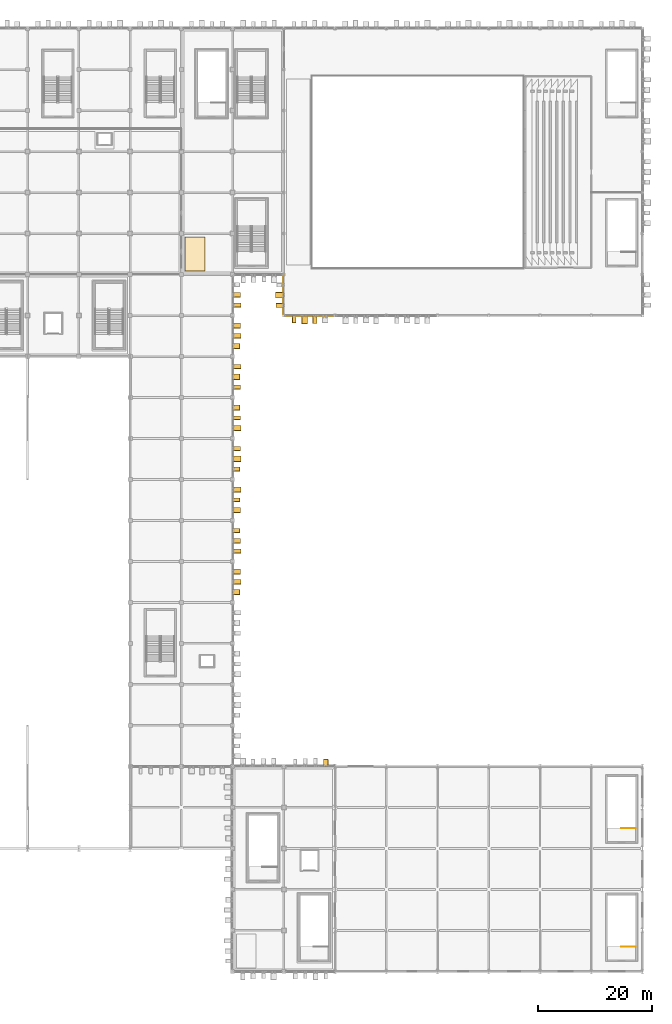
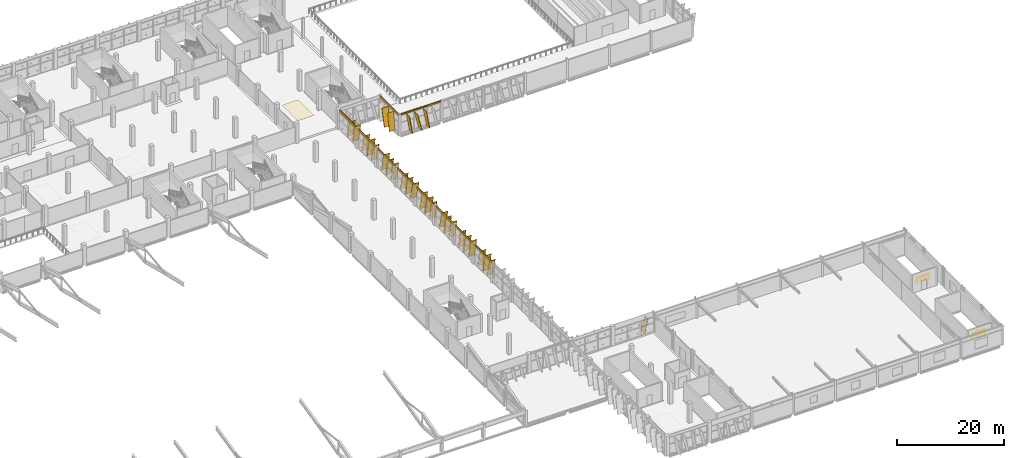
# One storey, part 136 of 151: 40 coverings, 29 shading devices, 2 railings.
"""IFC4 building model written with IfcOpenShell, lengths in metres."""

from ifc_helpers import new_model, si_unit, direction, frame, origin, origin_2d, place, context, subcontext, project, spatial, polyline, rectangle, circle, outline, extrude, material, layer, layer_set, material_profile, profile_set, type_object, element, save


model = new_model("IFC4")

# Units and contexts
model_context = context("Model", 3, precision=1e-05, world=origin(), true_north=direction((0.0, 1.0)))
body_context = subcontext(model_context, "Body", "Model", "MODEL_VIEW")
ifc_project = project(units=[si_unit("LENGTHUNIT", "METRE"), si_unit("AREAUNIT", "SQUARE_METRE"), si_unit("VOLUMEUNIT", "CUBIC_METRE"), si_unit("PLANEANGLEUNIT", "RADIAN"), si_unit("MASSUNIT", "GRAM", prefix="KILO")], contexts=[model_context])

# Site, building, storey
site_placement = place(None, origin())
site = spatial("IfcSite", under=ifc_project, at=site_placement, CompositionType="ELEMENT")
building_placement = place(site_placement, origin())
building = spatial("IfcBuilding", under=site, at=building_placement, Name="Celestram Park Convention Centre", CompositionType="ELEMENT")
storey_placement = place(building_placement, frame((0.0, 0.0, 10.800048828125)))
storey = spatial("IfcBuildingStorey", under=building, at=storey_placement, Name="L02", CompositionType="ELEMENT", Elevation=10.800048828125)

# Coverings
ifc_material_1 = material(Name="Anodised Bronze Aluminium Spandrel Cladding", Category="aluminium")
ifc_layer_1 = layer(ifc_material_1, 0.050048828125)
ifc_layer_set_1 = layer_set([ifc_layer_1], Name="Anodised Bronze Aluminium Spandrel Cladding")
covering_type_1 = type_object("IfcCoveringType", Name="ARC-COV-CLD060", PredefinedType="CLADDING", material=ifc_layer_set_1)
covering_1_placement = place(storey_placement, frame((157.5, 115.1201171875, 4.1640625), z_axis=(0.0, 0.0, 1.0), x_axis=(-1.0, 0.0, 0.0)))
element("IfcCovering", 1, at=covering_1_placement, inside=storey, type_object=covering_type_1, Name="Bronze spandrel cladding CL-L02-178", PredefinedType="CLADDING", context=body_context, shape_type="SweptSolid", body=[
    extrude(rectangle(XDim=8.60400390625, YDim=0.1201171875, at=origin_2d()), origin(), (0.0, 0.0, 1.0), 0.3359375),
])
covering_2_placement = place(storey_placement, frame((152.919921875, 118.800048828125, 3.9140625), z_axis=(0.0, 0.0, 1.0), x_axis=(0.0, 1.0, 0.0)))
element("IfcCovering", 2, at=covering_2_placement, inside=storey, type_object=covering_type_1, Name="Bronze spandrel cladding CL-L02-179", PredefinedType="CLADDING", context=body_context, shape_type="SweptSolid", body=[
    extrude(rectangle(XDim=6.803955078125, YDim=0.1201171875, at=origin_2d()), origin(), (0.0, 0.0, 1.0), 0.5859375),
])
covering_3_placement = place(storey_placement, frame((144.080078125, 118.800048828125, 3.9140625), z_axis=(0.0, 0.0, 1.0), x_axis=(0.0, -1.0, 0.0)))
element("IfcCovering", 3, at=covering_3_placement, inside=storey, type_object=covering_type_1, Name="Bronze spandrel cladding CL-L02-181", PredefinedType="CLADDING", context=body_context, shape_type="SweptSolid", body=[
    extrude(rectangle(XDim=6.50390625, YDim=0.1201171875, at=origin_2d()), origin(), (0.0, 0.0, 1.0), 0.5859375),
])
for number, where, z_axis, x_axis, name in (
    (4, (144.080078125, 111.60009765625, 4.02001953125), (0.0, 0.0, 1.0), (0.0, -1.0, 0.0), "Bronze spandrel cladding CL-L02-182"),
    (5, (144.080078125, 104.39990234375, 4.02001953125), (0.0, 0.0, 1.0), (0.0, -1.0, 0.0), "Bronze spandrel cladding CL-L02-183"),
    (6, (144.080078125, 97.199951171875, 4.02001953125), (0.0, 0.0, 1.0), (0.0, -1.0, 0.0), "Bronze spandrel cladding CL-L02-184"),
    (7, (144.080078125, 90.0, 4.02001953125), (0.0, 0.0, 1.0), (0.0, -1.0, 0.0), "Bronze spandrel cladding CL-L02-185"),
    (8, (144.080078125, 82.800048828125, 4.02001953125), (0.0, 0.0, 1.0), (0.0, -1.0, 0.0), "Bronze spandrel cladding CL-L02-186"),
    (9, (144.080078125, 75.60009765625, 4.02001953125), (0.0, 0.0, 1.0), (0.0, -1.0, 0.0), "Bronze spandrel cladding CL-L02-187"),
    (10, (144.080078125, 68.39990234375, 4.02001953125), (0.0, 0.0, 1.0), (0.0, -1.0, 0.0), "Bronze spandrel cladding CL-L02-188"),
):
    element("IfcCovering", number, at=place(storey_placement, frame(where, z_axis=z_axis, x_axis=x_axis)), inside=storey, type_object=covering_type_1, Name=name, PredefinedType="CLADDING", context=body_context, shape_type="SweptSolid", body=[
        extrude(rectangle(XDim=6.50390625, YDim=0.1201171875, at=origin_2d()), origin(), (0.0, 0.0, 1.0), 0.47998046875),
    ])
ifc_material_2 = material(Name="Perforated Acoustic Mineral-Fibre Baffle Ceiling", Category="gypsum")
ifc_layer_2 = layer(ifc_material_2, 0.0400390625)
ifc_layer_set_2 = layer_set([ifc_layer_2], Name="Perforated Acoustic Mineral-Fibre Baffle Ceiling")
covering_type_2 = type_object("IfcCoveringType", Name="ARC-COV-CLG040", PredefinedType="CEILING", material=ifc_layer_set_2)
covering_4_placement = place(storey_placement, frame((0.0, 0.0, 4.2099609375)))
element("IfcCovering", 11, at=covering_4_placement, inside=storey, type_object=covering_type_2, Name="Plenary Circle Pre-Function Gallery acoustic baffle ceiling", PredefinedType="CEILING", context=body_context, shape_type="SweptSolid", body=[
    extrude(outline(polyline([(135.64990234375, 123.050048828125), (139.14990234375, 123.050048828125), (139.14990234375, 128.949951171875), (135.64990234375, 128.949951171875), (135.64990234375, 123.050048828125)])), origin(), (0.0, 0.0, 1.0), 0.0400390625),
])
ifc_material_3 = material(Name="Timber-Toned Anodised Aluminium Alloy 6063-T6", Category="wood")
ifc_material_profile_1 = material_profile(ifc_material_3, rectangle(XDim=1.1201171875, YDim=0.090087890625, at=origin_2d()), Name="REED1120X90")
ifc_profile_set_1 = profile_set([ifc_material_profile_1], Name="Timber-Toned Anodised Aluminium Alloy 6063-T6")
covering_type_3 = type_object("IfcCoveringType", Name="ARC-COV-FIN1120", PredefinedType="CLADDING", material=ifc_profile_set_1)
covering_5_placement = place(storey_placement, frame((159.985107421875, 36.639892578125, 0.05029296875), z_axis=(0.231742921409, 0.0, 0.972777065096), x_axis=(0.0, 1.0, 0.0)))
element("IfcCovering", 12, at=covering_5_placement, inside=storey, type_object=covering_type_3, Name="Leaning timber-toned reed fin RFN-L02-0459", PredefinedType="CLADDING", context=body_context, shape_type="SweptSolid", body=[
    extrude(rectangle(XDim=1.1201171875, YDim=0.090087890625, at=origin_2d()), origin(), (0.0, 0.0, 1.0), 3.325927734375),
])
covering_6_placement = place(storey_placement, frame((155.130615234375, 114.56005859375, 0.031494140625), z_axis=(-0.159924965723, 0.0, 0.987129173583), x_axis=(0.0, -1.0, 0.0)))
element("IfcCovering", 13, at=covering_6_placement, inside=storey, type_object=covering_type_3, Name="Leaning timber-toned reed fin RFN-L02-0561", PredefinedType="CLADDING", context=body_context, shape_type="SweptSolid", body=[
    extrude(rectangle(XDim=1.1201171875, YDim=0.090087890625, at=origin_2d()), origin(), (0.0, 0.0, 1.0), 4.134033203125),
])
for number, where, z_axis, x_axis, name in (
    (14, (144.639892578125, 110.26220703125, 0.059326171875), (0.0, -0.231722551383, 0.972781917585), (1.0, 0.0, 0.0), "Leaning timber-toned reed fin RFN-L02-0574"),
    (15, (144.639892578125, 104.8623046875, 0.059326171875), (0.0, -0.231722551383, 0.972781917585), (1.0, 0.0, 0.0), "Leaning timber-toned reed fin RFN-L02-0576"),
    (16, (144.639892578125, 99.46240234375, 0.059326171875), (0.0, -0.23178045354, 0.972768123119), (1.0, 0.0, 0.0), "Leaning timber-toned reed fin RFN-L02-0578"),
):
    element("IfcCovering", number, at=place(storey_placement, frame(where, z_axis=z_axis, x_axis=x_axis)), inside=storey, type_object=covering_type_3, Name=name, PredefinedType="CLADDING", context=body_context, shape_type="SweptSolid", body=[
        extrude(rectangle(XDim=1.1201171875, YDim=0.090087890625, at=origin_2d()), origin(), (0.0, 0.0, 1.0), 3.989990234375),
    ])
for number, where, z_axis, x_axis, name in (
    (17, (144.639892578125, 88.51904296875, 0.03076171875), (0.0, -0.159892286348, 0.987134467419), (1.0, 0.0, 0.0), "Leaning timber-toned reed fin RFN-L02-0583"),
    (18, (144.639892578125, 83.118896484375, 0.03076171875), (0.0, -0.159892286348, 0.987134467419), (1.0, 0.0, 0.0), "Leaning timber-toned reed fin RFN-L02-0585"),
    (19, (144.639892578125, 77.718994140625, 0.03076171875), (0.0, -0.159892286348, 0.987134467419), (1.0, 0.0, 0.0), "Leaning timber-toned reed fin RFN-L02-0587"),
):
    element("IfcCovering", number, at=place(storey_placement, frame(where, z_axis=z_axis, x_axis=x_axis)), inside=storey, type_object=covering_type_3, Name=name, PredefinedType="CLADDING", context=body_context, shape_type="SweptSolid", body=[
        extrude(rectangle(XDim=1.1201171875, YDim=0.090087890625, at=origin_2d()), origin(), (0.0, 0.0, 1.0), 3.98974609375),
    ])
covering_7_placement = place(storey_placement, frame((144.639892578125, 67.062255859375, 0.059326171875), z_axis=(0.0, -0.231722551383, 0.972781917585), x_axis=(1.0, 0.0, 0.0)))
element("IfcCovering", 20, at=covering_7_placement, inside=storey, type_object=covering_type_3, Name="Leaning timber-toned reed fin RFN-L02-0592", PredefinedType="CLADDING", context=body_context, shape_type="SweptSolid", body=[
    extrude(rectangle(XDim=1.1201171875, YDim=0.090087890625, at=origin_2d()), origin(), (0.0, 0.0, 1.0), 3.989990234375),
])
ifc_material_profile_2 = material_profile(ifc_material_3, rectangle(XDim=1.280029296875, YDim=0.090087890625, at=origin_2d()), Name="REED1280X90")
ifc_profile_set_2 = profile_set([ifc_material_profile_2], Name="Timber-Toned Anodised Aluminium Alloy 6063-T6")
covering_type_4 = type_object("IfcCoveringType", Name="ARC-COV-FIN1280", PredefinedType="CLADDING", material=ifc_profile_set_2)
covering_8_placement = place(storey_placement, frame((158.751708984375, 114.47998046875, 0.03515625), z_axis=(-0.170209503231, 0.0, 0.985407897781), x_axis=(0.0, -1.0, 0.0)))
element("IfcCovering", 21, at=covering_8_placement, inside=storey, type_object=covering_type_4, Name="Leaning timber-toned reed fin RFN-L02-0559", PredefinedType="CLADDING", context=body_context, shape_type="SweptSolid", body=[
    extrude(rectangle(XDim=1.280029296875, YDim=0.090087890625, at=origin_2d()), origin(), (0.0, 0.0, 1.0), 4.1337890625),
])
for number, where, z_axis, x_axis, name in (
    (22, (152.280029296875, 116.66943359375, 0.033203125), (0.0, 0.170216329286, 0.985406718693), (-1.0, 0.0, 0.0), "Leaning timber-toned reed fin RFN-L02-0562"),
    (23, (144.719970703125, 119.20703125, 0.048095703125), (0.0, -0.209623524504, 0.97778217307), (1.0, 0.0, 0.0), "Leaning timber-toned reed fin RFN-L02-0570"),
):
    element("IfcCovering", number, at=place(storey_placement, frame(where, z_axis=z_axis, x_axis=x_axis)), inside=storey, type_object=covering_type_4, Name=name, PredefinedType="CLADDING", context=body_context, shape_type="SweptSolid", body=[
        extrude(rectangle(XDim=1.280029296875, YDim=0.090087890625, at=origin_2d()), origin(), (0.0, 0.0, 1.0), 3.884033203125),
    ])
covering_9_placement = place(storey_placement, frame((144.719970703125, 113.818115234375, 0.04931640625), z_axis=(0.0, -0.209629375913, 0.977780918588), x_axis=(1.0, 0.0, 0.0)))
element("IfcCovering", 24, at=covering_9_placement, inside=storey, type_object=covering_type_4, Name="Leaning timber-toned reed fin RFN-L02-0572", PredefinedType="CLADDING", context=body_context, shape_type="SweptSolid", body=[
    extrude(rectangle(XDim=1.280029296875, YDim=0.090087890625, at=origin_2d()), origin(), (0.0, 0.0, 1.0), 3.989990234375),
])
for number, where, z_axis, x_axis, name in (
    (25, (144.719970703125, 102.939697265625, 0.033935546875), (0.0, -0.170220399589, 0.985406015591), (1.0, 0.0, 0.0), "Leaning timber-toned reed fin RFN-L02-0577"),
    (26, (144.719970703125, 97.53955078125, 0.033935546875), (0.0, -0.170220399589, 0.985406015591), (1.0, 0.0, 0.0), "Leaning timber-toned reed fin RFN-L02-0579"),
    (27, (144.719970703125, 92.1396484375, 0.033935546875), (0.0, -0.170220399589, 0.985406015591), (1.0, 0.0, 0.0), "Leaning timber-toned reed fin RFN-L02-0581"),
):
    element("IfcCovering", number, at=place(storey_placement, frame(where, z_axis=z_axis, x_axis=x_axis)), inside=storey, type_object=covering_type_4, Name=name, PredefinedType="CLADDING", context=body_context, shape_type="SweptSolid", body=[
        extrude(rectangle(XDim=1.280029296875, YDim=0.090087890625, at=origin_2d()), origin(), (0.0, 0.0, 1.0), 3.990234375),
    ])
for number, where, z_axis, x_axis, name in (
    (28, (144.719970703125, 81.418212890625, 0.04931640625), (0.0, -0.209629375913, 0.977780918588), (1.0, 0.0, 0.0), "Leaning timber-toned reed fin RFN-L02-0586"),
    (29, (144.719970703125, 76.018310546875, 0.04931640625), (0.0, -0.209629375913, 0.977780918588), (1.0, 0.0, 0.0), "Leaning timber-toned reed fin RFN-L02-0588"),
    (30, (144.719970703125, 70.6181640625, 0.04931640625), (0.0, -0.209629375913, 0.977780918588), (1.0, 0.0, 0.0), "Leaning timber-toned reed fin RFN-L02-0590"),
):
    element("IfcCovering", number, at=place(storey_placement, frame(where, z_axis=z_axis, x_axis=x_axis)), inside=storey, type_object=covering_type_4, Name=name, PredefinedType="CLADDING", context=body_context, shape_type="SweptSolid", body=[
        extrude(rectangle(XDim=1.280029296875, YDim=0.090087890625, at=origin_2d()), origin(), (0.0, 0.0, 1.0), 3.989990234375),
    ])
ifc_material_profile_3 = material_profile(ifc_material_3, rectangle(XDim=1.419921875, YDim=0.090087890625, at=origin_2d()), Name="REED1420X90")
ifc_profile_set_3 = profile_set([ifc_material_profile_3], Name="Timber-Toned Anodised Aluminium Alloy 6063-T6")
covering_type_5 = type_object("IfcCoveringType", Name="ARC-COV-FIN1420", PredefinedType="CLADDING", material=ifc_profile_set_3)
covering_10_placement = place(storey_placement, frame((157.093017578125, 114.409912109375, 0.064697265625), z_axis=(-0.238531575281, 0.0, 0.971134742244), x_axis=(0.0, -1.0, 0.0)))
element("IfcCovering", 31, at=covering_10_placement, inside=storey, type_object=covering_type_5, Name="Leaning timber-toned reed fin RFN-L02-0560", PredefinedType="CLADDING", context=body_context, shape_type="SweptSolid", body=[
    extrude(rectangle(XDim=1.419921875, YDim=0.090087890625, at=origin_2d()), origin(), (0.0, 0.0, 1.0), 4.134033203125),
])
for number, where, z_axis, x_axis, name in (
    (32, (152.2099609375, 118.3369140625, 0.06103515625), (0.0, 0.238495612815, 0.971143574693), (-1.0, 0.0, 0.0), "Leaning timber-toned reed fin RFN-L02-0563"),
    (33, (144.7900390625, 117.3505859375, 0.036865234375), (0.0, -0.180533625065, 0.98356881316), (1.0, 0.0, 0.0), "Leaning timber-toned reed fin RFN-L02-0571"),
):
    element("IfcCovering", number, at=place(storey_placement, frame(where, z_axis=z_axis, x_axis=x_axis)), inside=storey, type_object=covering_type_5, Name=name, PredefinedType="CLADDING", context=body_context, shape_type="SweptSolid", body=[
        extrude(rectangle(XDim=1.419921875, YDim=0.090087890625, at=origin_2d()), origin(), (0.0, 0.0, 1.0), 3.8837890625),
    ])
for number, where, z_axis, x_axis, name in (
    (34, (144.7900390625, 111.960205078125, 0.037841796875), (0.0, -0.180511387282, 0.983572894635), (1.0, 0.0, 0.0), "Leaning timber-toned reed fin RFN-L02-0573"),
    (35, (144.7900390625, 106.56005859375, 0.037841796875), (0.0, -0.180511387282, 0.983572894635), (1.0, 0.0, 0.0), "Leaning timber-toned reed fin RFN-L02-0575"),
):
    element("IfcCovering", number, at=place(storey_placement, frame(where, z_axis=z_axis, x_axis=x_axis)), inside=storey, type_object=covering_type_5, Name=name, PredefinedType="CLADDING", context=body_context, shape_type="SweptSolid", body=[
        extrude(rectangle(XDim=1.419921875, YDim=0.090087890625, at=origin_2d()), origin(), (0.0, 0.0, 1.0), 3.98974609375),
    ])
for number, where, z_axis, x_axis, name in (
    (36, (144.7900390625, 95.8759765625, 0.0625), (0.0, -0.238574343039, 0.971124236565), (1.0, 0.0, 0.0), "Leaning timber-toned reed fin RFN-L02-0580"),
    (37, (144.7900390625, 90.475830078125, 0.0625), (0.0, -0.238516635893, 0.971138411558), (1.0, 0.0, 0.0), "Leaning timber-toned reed fin RFN-L02-0582"),
    (38, (144.7900390625, 85.075927734375, 0.0625), (0.0, -0.238574343039, 0.971124236565), (1.0, 0.0, 0.0), "Leaning timber-toned reed fin RFN-L02-0584"),
):
    element("IfcCovering", number, at=place(storey_placement, frame(where, z_axis=z_axis, x_axis=x_axis)), inside=storey, type_object=covering_type_5, Name=name, PredefinedType="CLADDING", context=body_context, shape_type="SweptSolid", body=[
        extrude(rectangle(XDim=1.419921875, YDim=0.090087890625, at=origin_2d()), origin(), (0.0, 0.0, 1.0), 3.989990234375),
    ])
for number, where, z_axis, x_axis, name in (
    (39, (144.7900390625, 74.16015625, 0.037841796875), (0.0, -0.180511387282, 0.983572894635), (1.0, 0.0, 0.0), "Leaning timber-toned reed fin RFN-L02-0589"),
    (40, (144.7900390625, 68.760009765625, 0.037841796875), (0.0, -0.180511387282, 0.983572894635), (1.0, 0.0, 0.0), "Leaning timber-toned reed fin RFN-L02-0591"),
):
    element("IfcCovering", number, at=place(storey_placement, frame(where, z_axis=z_axis, x_axis=x_axis)), inside=storey, type_object=covering_type_5, Name=name, PredefinedType="CLADDING", context=body_context, shape_type="SweptSolid", body=[
        extrude(rectangle(XDim=1.419921875, YDim=0.090087890625, at=origin_2d()), origin(), (0.0, 0.0, 1.0), 3.98974609375),
    ])

# Shading devices
ifc_material_4 = material(Name="Anodised Bronze Aluminium Alloy 6063-T6", Category="aluminium")
ifc_material_profile_4 = material_profile(ifc_material_4, rectangle(XDim=1.280029296875, YDim=0.080078125, at=origin_2d()), Name="FIN1280X80")
ifc_profile_set_4 = profile_set([ifc_material_profile_4], Name="Anodised Bronze Aluminium Alloy 6063-T6")
shading_device_type = type_object("IfcShadingDeviceType", Name="ARC-FIN-BZ1280", PredefinedType="USERDEFINED", material=ifc_profile_set_4)
shading_device_1_placement = place(storey_placement, frame((159.985107421875, 36.639892578125, 0.05029296875), z_axis=(0.231742921409, 0.0, 0.972777065096), x_axis=(0.0, 1.0, 0.0)))
element("IfcShadingDevice", 41, at=shading_device_1_placement, inside=storey, type_object=shading_device_type, Name="Expressive solar fin FN-L02-0459", ObjectType="SOLAR_FIN", PredefinedType="USERDEFINED", context=body_context, shape_type="SweptSolid", body=[
    extrude(rectangle(XDim=1.280029296875, YDim=0.080078125, at=origin_2d()), origin(), (0.0, 0.0, 1.0), 3.325927734375),
])
shading_device_2_placement = place(storey_placement, frame((158.751708984375, 114.47998046875, 0.03515625), z_axis=(-0.170209503231, 0.0, 0.985407897781), x_axis=(0.0, -1.0, 0.0)))
element("IfcShadingDevice", 42, at=shading_device_2_placement, inside=storey, type_object=shading_device_type, Name="Expressive solar fin FN-L02-0559", ObjectType="SOLAR_FIN", PredefinedType="USERDEFINED", context=body_context, shape_type="SweptSolid", body=[
    extrude(rectangle(XDim=1.280029296875, YDim=0.080078125, at=origin_2d()), origin(), (0.0, 0.0, 1.0), 4.1337890625),
])
for number, where, z_axis, x_axis, name in (
    (43, (157.093017578125, 114.409912109375, 0.064697265625), (-0.238531575281, 0.0, 0.971134742244), (0.0, -1.0, 0.0), "Expressive solar fin FN-L02-0560"),
    (44, (155.130615234375, 114.56005859375, 0.031494140625), (-0.159924965723, 0.0, 0.987129173583), (0.0, -1.0, 0.0), "Expressive solar fin FN-L02-0561"),
):
    element("IfcShadingDevice", number, at=place(storey_placement, frame(where, z_axis=z_axis, x_axis=x_axis)), inside=storey, type_object=shading_device_type, Name=name, ObjectType="SOLAR_FIN", PredefinedType="USERDEFINED", context=body_context, shape_type="SweptSolid", body=[
        extrude(rectangle(XDim=1.280029296875, YDim=0.080078125, at=origin_2d()), origin(), (0.0, 0.0, 1.0), 4.134033203125),
    ])
shading_device_3_placement = place(storey_placement, frame((152.280029296875, 116.66943359375, 0.033203125), z_axis=(0.0, 0.170216329286, 0.985406718693), x_axis=(-1.0, 0.0, 0.0)))
element("IfcShadingDevice", 45, at=shading_device_3_placement, inside=storey, type_object=shading_device_type, Name="Expressive solar fin FN-L02-0562", ObjectType="SOLAR_FIN", PredefinedType="USERDEFINED", context=body_context, shape_type="SweptSolid", body=[
    extrude(rectangle(XDim=1.280029296875, YDim=0.080078125, at=origin_2d()), origin(), (0.0, 0.0, 1.0), 3.884033203125),
])
shading_device_4_placement = place(storey_placement, frame((152.2099609375, 118.3369140625, 0.06103515625), z_axis=(0.0, 0.238495612815, 0.971143574693), x_axis=(-1.0, 0.0, 0.0)))
element("IfcShadingDevice", 46, at=shading_device_4_placement, inside=storey, type_object=shading_device_type, Name="Expressive solar fin FN-L02-0563", ObjectType="SOLAR_FIN", PredefinedType="USERDEFINED", context=body_context, shape_type="SweptSolid", body=[
    extrude(rectangle(XDim=1.280029296875, YDim=0.080078125, at=origin_2d()), origin(), (0.0, 0.0, 1.0), 3.8837890625),
])
shading_device_5_placement = place(storey_placement, frame((144.719970703125, 119.20703125, 0.048095703125), z_axis=(0.0, -0.209623524504, 0.97778217307), x_axis=(1.0, 0.0, 0.0)))
element("IfcShadingDevice", 47, at=shading_device_5_placement, inside=storey, type_object=shading_device_type, Name="Expressive solar fin FN-L02-0570", ObjectType="SOLAR_FIN", PredefinedType="USERDEFINED", context=body_context, shape_type="SweptSolid", body=[
    extrude(rectangle(XDim=1.280029296875, YDim=0.080078125, at=origin_2d()), origin(), (0.0, 0.0, 1.0), 3.884033203125),
])
shading_device_6_placement = place(storey_placement, frame((144.7900390625, 117.3505859375, 0.036865234375), z_axis=(0.0, -0.180533625065, 0.98356881316), x_axis=(1.0, 0.0, 0.0)))
element("IfcShadingDevice", 48, at=shading_device_6_placement, inside=storey, type_object=shading_device_type, Name="Expressive solar fin FN-L02-0571", ObjectType="SOLAR_FIN", PredefinedType="USERDEFINED", context=body_context, shape_type="SweptSolid", body=[
    extrude(rectangle(XDim=1.280029296875, YDim=0.080078125, at=origin_2d()), origin(), (0.0, 0.0, 1.0), 3.8837890625),
])
shading_device_7_placement = place(storey_placement, frame((144.719970703125, 113.818115234375, 0.04931640625), z_axis=(0.0, -0.209629375913, 0.977780918588), x_axis=(1.0, 0.0, 0.0)))
element("IfcShadingDevice", 49, at=shading_device_7_placement, inside=storey, type_object=shading_device_type, Name="Expressive solar fin FN-L02-0572", ObjectType="SOLAR_FIN", PredefinedType="USERDEFINED", context=body_context, shape_type="SweptSolid", body=[
    extrude(rectangle(XDim=1.280029296875, YDim=0.080078125, at=origin_2d()), origin(), (0.0, 0.0, 1.0), 3.989990234375),
])
shading_device_8_placement = place(storey_placement, frame((144.7900390625, 111.960205078125, 0.037841796875), z_axis=(0.0, -0.180511387282, 0.983572894635), x_axis=(1.0, 0.0, 0.0)))
element("IfcShadingDevice", 50, at=shading_device_8_placement, inside=storey, type_object=shading_device_type, Name="Expressive solar fin FN-L02-0573", ObjectType="SOLAR_FIN", PredefinedType="USERDEFINED", context=body_context, shape_type="SweptSolid", body=[
    extrude(rectangle(XDim=1.280029296875, YDim=0.080078125, at=origin_2d()), origin(), (0.0, 0.0, 1.0), 3.98974609375),
])
shading_device_9_placement = place(storey_placement, frame((144.639892578125, 110.26220703125, 0.059326171875), z_axis=(0.0, -0.231722551383, 0.972781917585), x_axis=(1.0, 0.0, 0.0)))
element("IfcShadingDevice", 51, at=shading_device_9_placement, inside=storey, type_object=shading_device_type, Name="Expressive solar fin FN-L02-0574", ObjectType="SOLAR_FIN", PredefinedType="USERDEFINED", context=body_context, shape_type="SweptSolid", body=[
    extrude(rectangle(XDim=1.280029296875, YDim=0.080078125, at=origin_2d()), origin(), (0.0, 0.0, 1.0), 3.989990234375),
])
shading_device_10_placement = place(storey_placement, frame((144.7900390625, 106.56005859375, 0.037841796875), z_axis=(0.0, -0.180511387282, 0.983572894635), x_axis=(1.0, 0.0, 0.0)))
element("IfcShadingDevice", 52, at=shading_device_10_placement, inside=storey, type_object=shading_device_type, Name="Expressive solar fin FN-L02-0575", ObjectType="SOLAR_FIN", PredefinedType="USERDEFINED", context=body_context, shape_type="SweptSolid", body=[
    extrude(rectangle(XDim=1.280029296875, YDim=0.080078125, at=origin_2d()), origin(), (0.0, 0.0, 1.0), 3.98974609375),
])
shading_device_11_placement = place(storey_placement, frame((144.639892578125, 104.8623046875, 0.059326171875), z_axis=(0.0, -0.231722551383, 0.972781917585), x_axis=(1.0, 0.0, 0.0)))
element("IfcShadingDevice", 53, at=shading_device_11_placement, inside=storey, type_object=shading_device_type, Name="Expressive solar fin FN-L02-0576", ObjectType="SOLAR_FIN", PredefinedType="USERDEFINED", context=body_context, shape_type="SweptSolid", body=[
    extrude(rectangle(XDim=1.280029296875, YDim=0.080078125, at=origin_2d()), origin(), (0.0, 0.0, 1.0), 3.989990234375),
])
shading_device_12_placement = place(storey_placement, frame((144.719970703125, 102.939697265625, 0.033935546875), z_axis=(0.0, -0.170220399589, 0.985406015591), x_axis=(1.0, 0.0, 0.0)))
element("IfcShadingDevice", 54, at=shading_device_12_placement, inside=storey, type_object=shading_device_type, Name="Expressive solar fin FN-L02-0577", ObjectType="SOLAR_FIN", PredefinedType="USERDEFINED", context=body_context, shape_type="SweptSolid", body=[
    extrude(rectangle(XDim=1.280029296875, YDim=0.080078125, at=origin_2d()), origin(), (0.0, 0.0, 1.0), 3.990234375),
])
shading_device_13_placement = place(storey_placement, frame((144.639892578125, 99.46240234375, 0.059326171875), z_axis=(0.0, -0.23178045354, 0.972768123119), x_axis=(1.0, 0.0, 0.0)))
element("IfcShadingDevice", 55, at=shading_device_13_placement, inside=storey, type_object=shading_device_type, Name="Expressive solar fin FN-L02-0578", ObjectType="SOLAR_FIN", PredefinedType="USERDEFINED", context=body_context, shape_type="SweptSolid", body=[
    extrude(rectangle(XDim=1.280029296875, YDim=0.080078125, at=origin_2d()), origin(), (0.0, 0.0, 1.0), 3.989990234375),
])
shading_device_14_placement = place(storey_placement, frame((144.719970703125, 97.53955078125, 0.033935546875), z_axis=(0.0, -0.170220399589, 0.985406015591), x_axis=(1.0, 0.0, 0.0)))
element("IfcShadingDevice", 56, at=shading_device_14_placement, inside=storey, type_object=shading_device_type, Name="Expressive solar fin FN-L02-0579", ObjectType="SOLAR_FIN", PredefinedType="USERDEFINED", context=body_context, shape_type="SweptSolid", body=[
    extrude(rectangle(XDim=1.280029296875, YDim=0.080078125, at=origin_2d()), origin(), (0.0, 0.0, 1.0), 3.990234375),
])
shading_device_15_placement = place(storey_placement, frame((144.7900390625, 95.8759765625, 0.0625), z_axis=(0.0, -0.238574343039, 0.971124236565), x_axis=(1.0, 0.0, 0.0)))
element("IfcShadingDevice", 57, at=shading_device_15_placement, inside=storey, type_object=shading_device_type, Name="Expressive solar fin FN-L02-0580", ObjectType="SOLAR_FIN", PredefinedType="USERDEFINED", context=body_context, shape_type="SweptSolid", body=[
    extrude(rectangle(XDim=1.280029296875, YDim=0.080078125, at=origin_2d()), origin(), (0.0, 0.0, 1.0), 3.989990234375),
])
shading_device_16_placement = place(storey_placement, frame((144.719970703125, 92.1396484375, 0.033935546875), z_axis=(0.0, -0.170220399589, 0.985406015591), x_axis=(1.0, 0.0, 0.0)))
element("IfcShadingDevice", 58, at=shading_device_16_placement, inside=storey, type_object=shading_device_type, Name="Expressive solar fin FN-L02-0581", ObjectType="SOLAR_FIN", PredefinedType="USERDEFINED", context=body_context, shape_type="SweptSolid", body=[
    extrude(rectangle(XDim=1.280029296875, YDim=0.080078125, at=origin_2d()), origin(), (0.0, 0.0, 1.0), 3.990234375),
])
shading_device_17_placement = place(storey_placement, frame((144.7900390625, 90.475830078125, 0.0625), z_axis=(0.0, -0.238516635893, 0.971138411558), x_axis=(1.0, 0.0, 0.0)))
element("IfcShadingDevice", 59, at=shading_device_17_placement, inside=storey, type_object=shading_device_type, Name="Expressive solar fin FN-L02-0582", ObjectType="SOLAR_FIN", PredefinedType="USERDEFINED", context=body_context, shape_type="SweptSolid", body=[
    extrude(rectangle(XDim=1.280029296875, YDim=0.080078125, at=origin_2d()), origin(), (0.0, 0.0, 1.0), 3.989990234375),
])
shading_device_18_placement = place(storey_placement, frame((144.639892578125, 88.51904296875, 0.03076171875), z_axis=(0.0, -0.159892286348, 0.987134467419), x_axis=(1.0, 0.0, 0.0)))
element("IfcShadingDevice", 60, at=shading_device_18_placement, inside=storey, type_object=shading_device_type, Name="Expressive solar fin FN-L02-0583", ObjectType="SOLAR_FIN", PredefinedType="USERDEFINED", context=body_context, shape_type="SweptSolid", body=[
    extrude(rectangle(XDim=1.280029296875, YDim=0.080078125, at=origin_2d()), origin(), (0.0, 0.0, 1.0), 3.98974609375),
])
shading_device_19_placement = place(storey_placement, frame((144.7900390625, 85.075927734375, 0.0625), z_axis=(0.0, -0.238574343039, 0.971124236565), x_axis=(1.0, 0.0, 0.0)))
element("IfcShadingDevice", 61, at=shading_device_19_placement, inside=storey, type_object=shading_device_type, Name="Expressive solar fin FN-L02-0584", ObjectType="SOLAR_FIN", PredefinedType="USERDEFINED", context=body_context, shape_type="SweptSolid", body=[
    extrude(rectangle(XDim=1.280029296875, YDim=0.080078125, at=origin_2d()), origin(), (0.0, 0.0, 1.0), 3.989990234375),
])
shading_device_20_placement = place(storey_placement, frame((144.639892578125, 83.118896484375, 0.03076171875), z_axis=(0.0, -0.159892286348, 0.987134467419), x_axis=(1.0, 0.0, 0.0)))
element("IfcShadingDevice", 62, at=shading_device_20_placement, inside=storey, type_object=shading_device_type, Name="Expressive solar fin FN-L02-0585", ObjectType="SOLAR_FIN", PredefinedType="USERDEFINED", context=body_context, shape_type="SweptSolid", body=[
    extrude(rectangle(XDim=1.280029296875, YDim=0.080078125, at=origin_2d()), origin(), (0.0, 0.0, 1.0), 3.98974609375),
])
shading_device_21_placement = place(storey_placement, frame((144.719970703125, 81.418212890625, 0.04931640625), z_axis=(0.0, -0.209629375913, 0.977780918588), x_axis=(1.0, 0.0, 0.0)))
element("IfcShadingDevice", 63, at=shading_device_21_placement, inside=storey, type_object=shading_device_type, Name="Expressive solar fin FN-L02-0586", ObjectType="SOLAR_FIN", PredefinedType="USERDEFINED", context=body_context, shape_type="SweptSolid", body=[
    extrude(rectangle(XDim=1.280029296875, YDim=0.080078125, at=origin_2d()), origin(), (0.0, 0.0, 1.0), 3.989990234375),
])
shading_device_22_placement = place(storey_placement, frame((144.639892578125, 77.718994140625, 0.03076171875), z_axis=(0.0, -0.159892286348, 0.987134467419), x_axis=(1.0, 0.0, 0.0)))
element("IfcShadingDevice", 64, at=shading_device_22_placement, inside=storey, type_object=shading_device_type, Name="Expressive solar fin FN-L02-0587", ObjectType="SOLAR_FIN", PredefinedType="USERDEFINED", context=body_context, shape_type="SweptSolid", body=[
    extrude(rectangle(XDim=1.280029296875, YDim=0.080078125, at=origin_2d()), origin(), (0.0, 0.0, 1.0), 3.98974609375),
])
shading_device_23_placement = place(storey_placement, frame((144.719970703125, 76.018310546875, 0.04931640625), z_axis=(0.0, -0.209629375913, 0.977780918588), x_axis=(1.0, 0.0, 0.0)))
element("IfcShadingDevice", 65, at=shading_device_23_placement, inside=storey, type_object=shading_device_type, Name="Expressive solar fin FN-L02-0588", ObjectType="SOLAR_FIN", PredefinedType="USERDEFINED", context=body_context, shape_type="SweptSolid", body=[
    extrude(rectangle(XDim=1.280029296875, YDim=0.080078125, at=origin_2d()), origin(), (0.0, 0.0, 1.0), 3.989990234375),
])
shading_device_24_placement = place(storey_placement, frame((144.7900390625, 74.16015625, 0.037841796875), z_axis=(0.0, -0.180511387282, 0.983572894635), x_axis=(1.0, 0.0, 0.0)))
element("IfcShadingDevice", 66, at=shading_device_24_placement, inside=storey, type_object=shading_device_type, Name="Expressive solar fin FN-L02-0589", ObjectType="SOLAR_FIN", PredefinedType="USERDEFINED", context=body_context, shape_type="SweptSolid", body=[
    extrude(rectangle(XDim=1.280029296875, YDim=0.080078125, at=origin_2d()), origin(), (0.0, 0.0, 1.0), 3.98974609375),
])
shading_device_25_placement = place(storey_placement, frame((144.719970703125, 70.6181640625, 0.04931640625), z_axis=(0.0, -0.209629375913, 0.977780918588), x_axis=(1.0, 0.0, 0.0)))
element("IfcShadingDevice", 67, at=shading_device_25_placement, inside=storey, type_object=shading_device_type, Name="Expressive solar fin FN-L02-0590", ObjectType="SOLAR_FIN", PredefinedType="USERDEFINED", context=body_context, shape_type="SweptSolid", body=[
    extrude(rectangle(XDim=1.280029296875, YDim=0.080078125, at=origin_2d()), origin(), (0.0, 0.0, 1.0), 3.989990234375),
])
shading_device_26_placement = place(storey_placement, frame((144.7900390625, 68.760009765625, 0.037841796875), z_axis=(0.0, -0.180511387282, 0.983572894635), x_axis=(1.0, 0.0, 0.0)))
element("IfcShadingDevice", 68, at=shading_device_26_placement, inside=storey, type_object=shading_device_type, Name="Expressive solar fin FN-L02-0591", ObjectType="SOLAR_FIN", PredefinedType="USERDEFINED", context=body_context, shape_type="SweptSolid", body=[
    extrude(rectangle(XDim=1.280029296875, YDim=0.080078125, at=origin_2d()), origin(), (0.0, 0.0, 1.0), 3.98974609375),
])
shading_device_27_placement = place(storey_placement, frame((144.639892578125, 67.062255859375, 0.059326171875), z_axis=(0.0, -0.231722551383, 0.972781917585), x_axis=(1.0, 0.0, 0.0)))
element("IfcShadingDevice", 69, at=shading_device_27_placement, inside=storey, type_object=shading_device_type, Name="Expressive solar fin FN-L02-0592", ObjectType="SOLAR_FIN", PredefinedType="USERDEFINED", context=body_context, shape_type="SweptSolid", body=[
    extrude(rectangle(XDim=1.280029296875, YDim=0.080078125, at=origin_2d()), origin(), (0.0, 0.0, 1.0), 3.989990234375),
])

# Railings
ifc_material_5 = material(Name="Stainless Steel AISI 316L & Laminated Glass", Category="steel")
ifc_layer_3 = layer(ifc_material_5, 0.06005859375)
ifc_layer_set_3 = layer_set([ifc_layer_3], Name="Stainless Steel AISI 316L & Laminated Glass")
railing_type = type_object("IfcRailingType", Name="ARC-RL-GRD1120", PredefinedType="GUARDRAIL", material=ifc_layer_set_3)
for number, where, name in (
    (70, (214.800048828125, 4.35009765625, 0.0), "L02 ST-11 top well guard 1"),
    (71, (214.800048828125, 25.14990234375, 0.0), "L02 ST-12 top well guard 1"),
):
    element("IfcRailing", number, at=place(storey_placement, frame(where)), inside=storey, type_object=railing_type, Name=name, PredefinedType="GUARDRAIL", context=body_context, shape_type="SweptSolid", body=[
        extrude(circle(Radius=0.02392578125, at=origin_2d()), frame((0.0, 0.0, 1.09619140625), z_axis=(-1.0, 0.0, 0.0), x_axis=(0.0, -1.0, 0.0)), (0.0, 0.0, 1.0), 2.56005859375),
        extrude(circle(Radius=0.02099609375, at=origin_2d()), origin(), (0.0, 0.0, 1.0), 1.072021484375),
        extrude(circle(Radius=0.02099609375, at=origin_2d()), frame((-0.853271484375, 0.0, 0.0)), (0.0, 0.0, 1.0), 1.072021484375),
        extrude(circle(Radius=0.02099609375, at=origin_2d()), frame((-1.706787109375, 0.0, 0.0)), (0.0, 0.0, 1.0), 1.072021484375),
        extrude(circle(Radius=0.02099609375, at=origin_2d()), frame((-2.56005859375, 0.0, 0.0)), (0.0, 0.0, 1.0), 1.072021484375),
    ])

save(model, "model.ifc")
